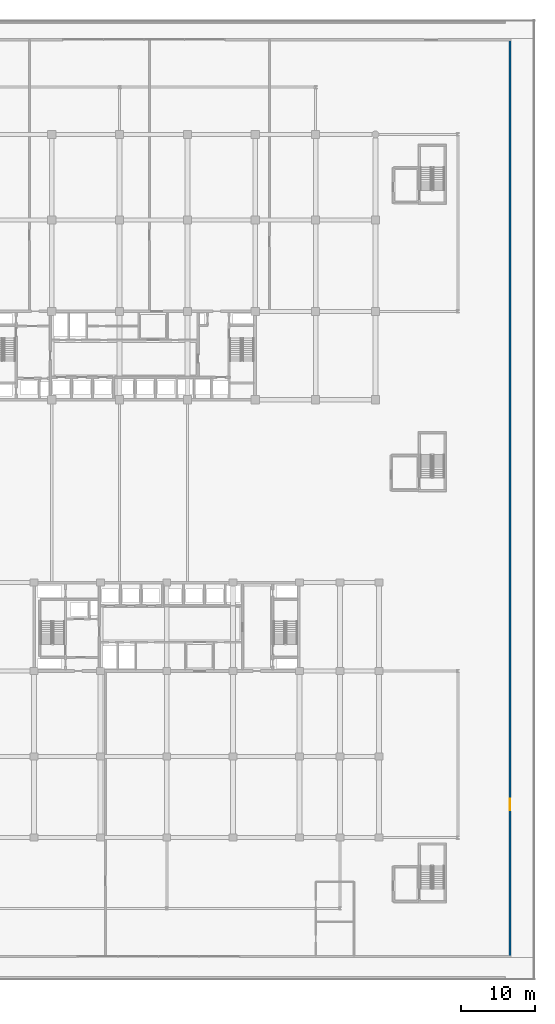
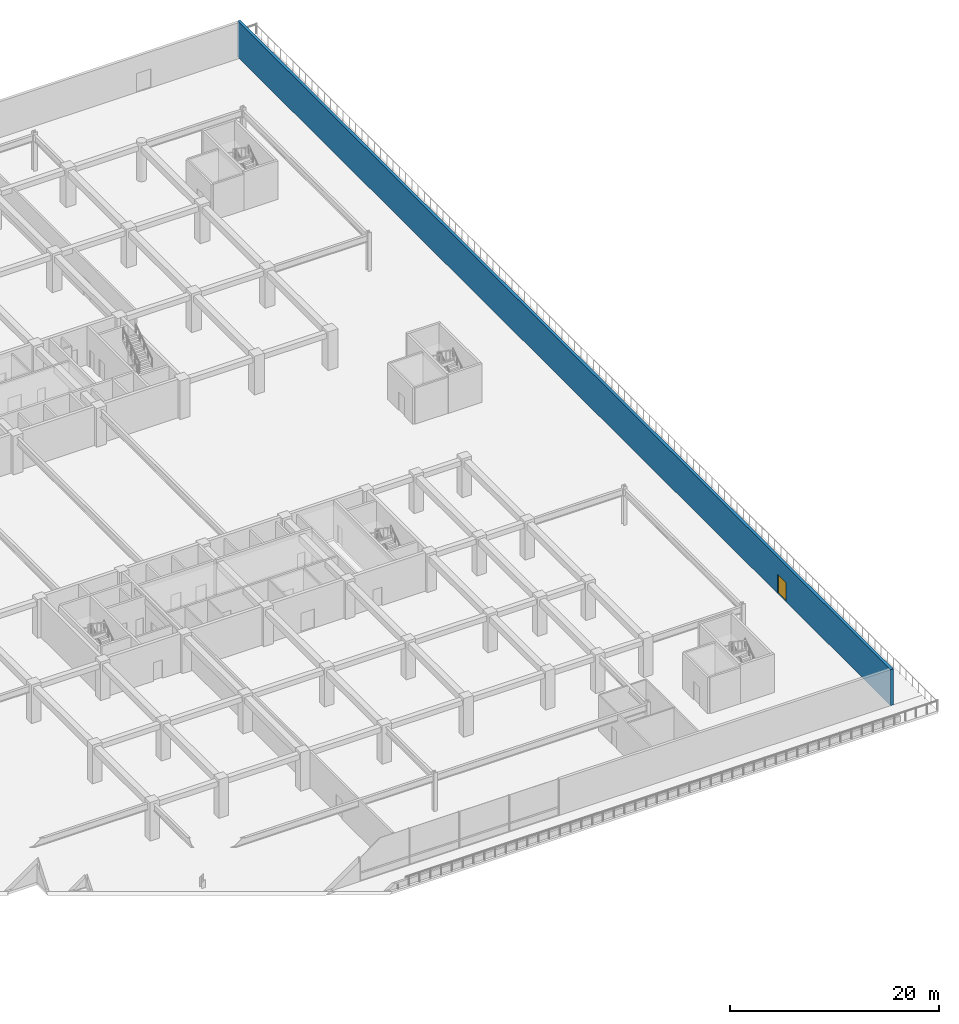
# One storey, part 28 of 43: 1 door, 1 wall, 1 opening.
"""IFC4 building model written with IfcOpenShell, lengths in metres."""

from ifc_helpers import new_model, si_unit, direction, frame, frame_2d, origin, place, context, subcontext, project, spatial, rectangle, extrude, material, layer, layer_set, type_object, element, fill, save


model = new_model("IFC4")

# Units and contexts
model_context = context("Model", 3, precision=1e-05, world=origin(), true_north=direction((0.0, 1.0)))
body_context = subcontext(model_context, "Body", "Model", "MODEL_VIEW")
ifc_project = project(units=[si_unit("LENGTHUNIT", "METRE"), si_unit("AREAUNIT", "SQUARE_METRE"), si_unit("VOLUMEUNIT", "CUBIC_METRE"), si_unit("PLANEANGLEUNIT", "RADIAN"), si_unit("MASSUNIT", "GRAM", prefix="KILO")], contexts=[model_context])

# Site, building, storey
site_placement = place(None, origin())
site = spatial("IfcSite", under=ifc_project, at=site_placement, CompositionType="ELEMENT")
building_placement = place(site_placement, origin())
building = spatial("IfcBuilding", under=site, at=building_placement, Name="Korimba Cascade Residences", CompositionType="ELEMENT")
storey_placement = place(building_placement, frame((0.0, 0.0, 10.0)))
storey = spatial("IfcBuildingStorey", under=building, at=storey_placement, Name="L02", CompositionType="ELEMENT", Elevation=10.0)

# Wall, opening, door
ifc_material_1 = material(Name="Precast concrete C40/50", Category="concrete")
ifc_layer = layer(ifc_material_1, 0.300048828125)
ifc_layer_set = layer_set([ifc_layer], Name="Precast concrete C40/50")
wall_type = type_object("IfcWallType", Name="EW-STONE-300", PredefinedType="STANDARD", material=ifc_layer_set)
wall_placement = place(storey_placement, frame((146.64990234375, -20.5, 0.0), z_axis=(0.0, 0.0, 1.0), x_axis=(0.0, 1.0, 0.0)))
wall = element("IfcWall", 1, at=wall_placement, inside=storey, type_object=wall_type, Name="L02 East Podium Wall", PredefinedType="STANDARD", context=body_context, shape_type="SweptSolid", body=[
    extrude(rectangle(XDim=124.699951171875, YDim=0.300048828125, at=frame_2d((62.35009765625, 0.0))), origin(), (0.0, 0.0, 1.0), 4.199951171875),
])
opening_placement = place(wall_placement, frame((20.0, 0.0, 0.0)))
opening = element("IfcOpeningElement", 2, at=opening_placement, cuts=wall, Name="Opening D-TR1", PredefinedType="OPENING", context=body_context, shape_type="SweptSolid", body=[
    extrude(rectangle(XDim=1.60009765625, YDim=2.199951171875, at=frame_2d((0.800048828125, 1.10009765625))), frame((0.0, 0.16015625, 0.0), z_axis=(0.0, -1.0, 0.0), x_axis=(1.0, 0.0, 0.0)), (0.0, 0.0, 1.0), 0.320068359375),
])
ifc_material_2 = material(Name="Glazed Aluminium Terrace Door", Category="aluminium")
door_type = type_object("IfcDoorType", Name="DR-EXT-TER", OperationType="NOTDEFINED", PredefinedType="DOOR", material=ifc_material_2)
door_placement = place(opening_placement, frame((1.60009765625, 0.0, 0.0), z_axis=(0.0, 0.0, 1.0), x_axis=(-1.0, 0.0, 0.0)))
door = element("IfcDoor", 3, at=door_placement, inside=storey, type_object=door_type, Name="L02 East Terrace Access Door", OperationType="DOUBLE_DOOR_SINGLE_SWING", OverallHeight=2.199951171875, OverallWidth=1.60009765625, PredefinedType="DOOR", context=body_context, shape_type="SweptSolid", body=[
    extrude(rectangle(XDim=1.60009765625, YDim=2.199951171875, at=frame_2d((0.800048828125, 1.10009765625))), frame((0.0, 0.02490234375, 0.0), z_axis=(0.0, -1.0, 0.0), x_axis=(1.0, 0.0, 0.0)), (0.0, 0.0, 1.0), 0.050048828125),
])
fill(opening, door)

save(model, "model.ifc")
